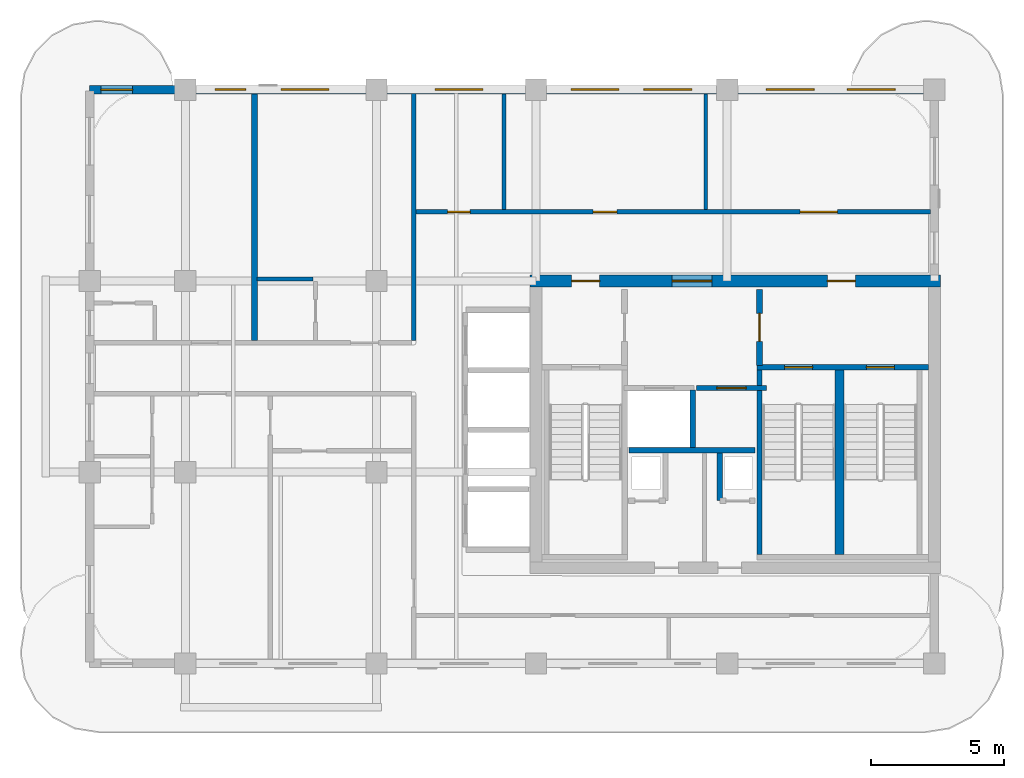
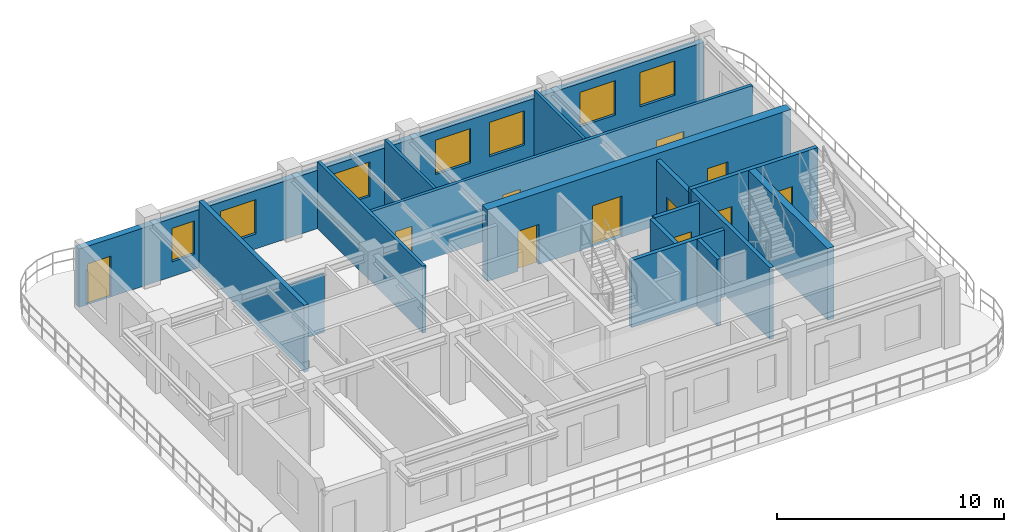
# One storey, part 4 of 7: 16 walls, 11 doors, 7 windows, 18 openings.
"""IFC4 building model written with IfcOpenShell, lengths in metres."""

from ifc_helpers import new_model, si_unit, derived_unit, direction, frame, frame_2d, origin, place, context, subcontext, project, spatial, rectangle, extrude, source, transform, mapped, material, layer, layer_set, type_object, type_shapes, element, fill, save


model = new_model("IFC4")

# Units and contexts
model_context = context("Model", 3, precision=1e-05, world=origin(), true_north=direction((0.0, 1.0)))
body_context = subcontext(model_context, "Body", "Model", "MODEL_VIEW")
ifc_project = project(units=[si_unit("LENGTHUNIT", "METRE"), si_unit("AREAUNIT", "SQUARE_METRE"), si_unit("VOLUMEUNIT", "CUBIC_METRE"), si_unit("PLANEANGLEUNIT", "RADIAN"), si_unit("MASSUNIT", "GRAM", prefix="KILO"), si_unit("THERMODYNAMICTEMPERATUREUNIT", "KELVIN"), si_unit("POWERUNIT", "WATT"), derived_unit("THERMALTRANSMITTANCEUNIT", [(si_unit("POWERUNIT", "WATT"), 1), (si_unit("AREAUNIT", "SQUARE_METRE"), -1), (si_unit("THERMODYNAMICTEMPERATUREUNIT", "KELVIN"), -1)])], contexts=[model_context])

# Site, building, storey
site_placement = place(None, origin())
site = spatial("IfcSite", under=ifc_project, at=site_placement, CompositionType="ELEMENT")
building_placement = place(site_placement, origin())
building = spatial("IfcBuilding", under=site, at=building_placement, Name="Zahravan Archway Hotel and Residences", CompositionType="ELEMENT")
storey_placement = place(building_placement, frame((0.0, 0.0, 255.800048828125)))
storey = spatial("IfcBuildingStorey", under=building, at=storey_placement, Name="L64", CompositionType="ELEMENT", Elevation=255.800048828125)

# Wall, openings, doors
ifc_material_1 = material(Name="Concrete C50/60", Category="concrete")
ifc_layer_1 = layer(ifc_material_1, 0.449951171875, Name="Concrete C50/60", Category="concrete")
ifc_layer_set_1 = layer_set([ifc_layer_1], Name="Concrete C50/60")
wall_type_1 = type_object("IfcWallType", Name="CW-CORE-450", PredefinedType="SHEAR", material=ifc_layer_set_1)
wall_1_placement = place(storey_placement, frame((34.574951171875, 14.39990234375, 0.0), z_axis=(0.0, 0.0, 1.0), x_axis=(1.0, 0.0, 0.0)))
wall_1 = element("IfcWall", 1, at=wall_1_placement, inside=storey, type_object=wall_type_1, Name="L64 Core A Shear N Wall 450 mm", PredefinedType="SHEAR", context=body_context, shape_type="SweptSolid", body=[
    extrude(rectangle(XDim=15.449951171875, YDim=0.449951171875, at=frame_2d((7.72509765625, 0.0))), origin(), (0.0, 0.0, 1.0), 3.849853515625),
])
opening_1_placement = place(wall_1_placement, frame((5.35498046875, 0.0, 0.0)))
opening_1 = element("IfcOpeningElement", 2, at=opening_1_placement, cuts=wall_1, Name="Opening FD-L1", PredefinedType="OPENING", context=body_context, shape_type="SweptSolid", body=[
    extrude(rectangle(XDim=1.5, YDim=2.199951171875, at=frame_2d((0.75, 1.10009765625))), frame((0.0, 0.23486328125, 0.0), z_axis=(0.0, -1.0, 0.0), x_axis=(1.0, 0.0, 0.0)), (0.0, 0.0, 1.0), 0.469970703125),
])
opening_2_placement = place(wall_1_placement, frame((1.570068359375, 0.0, 0.0)))
opening_2 = element("IfcOpeningElement", 3, at=opening_2_placement, cuts=wall_1, Name="Opening FD-L2", PredefinedType="OPENING", context=body_context, shape_type="SweptSolid", body=[
    extrude(rectangle(XDim=1.050048828125, YDim=2.14990234375, at=frame_2d((0.52490234375, 1.074951171875))), frame((0.0, 0.23486328125, 0.0), z_axis=(0.0, -1.0, 0.0), x_axis=(1.0, 0.0, 0.0)), (0.0, 0.0, 1.0), 0.469970703125),
])
opening_3_placement = place(wall_1_placement, frame((11.199951171875, 0.0, 0.0)))
opening_3 = element("IfcOpeningElement", 4, at=opening_3_placement, cuts=wall_1, Name="Opening FD-L2", PredefinedType="OPENING", context=body_context, shape_type="SweptSolid", body=[
    extrude(rectangle(XDim=1.050048828125, YDim=2.14990234375, at=frame_2d((0.52490234375, 1.074951171875))), frame((0.0, 0.23486328125, 0.0), z_axis=(0.0, -1.0, 0.0), x_axis=(1.0, 0.0, 0.0)), (0.0, 0.0, 1.0), 0.469970703125),
])
ifc_material_2 = material(Name="Fire-Rated Painted Steel", Category="steel")
door_type_1 = type_object("IfcDoorType", Name="FD-LOBBY-1100", OperationType="NOTDEFINED", PredefinedType="DOOR", material=ifc_material_2)
shared_shape_1 = source(origin(), body_context, "Body", "SweptSolid", [
    extrude(rectangle(XDim=1.050048828125, YDim=2.14990234375, at=frame_2d((0.52490234375, 1.074951171875))), frame((0.0, 0.02490234375, 0.0), z_axis=(0.0, -1.0, 0.0), x_axis=(1.0, 0.0, 0.0)), (0.0, 0.0, 1.0), 0.050048828125),
])
type_shapes(door_type_1, [shared_shape_1])
door_1_placement = place(opening_2_placement, origin())
door_1 = element("IfcDoor", 5, at=door_1_placement, inside=storey, type_object=door_type_1, Name="L64 Core A West Stair Lobby Door", OperationType="SINGLE_SWING_RIGHT", OverallHeight=2.14990234375, OverallWidth=1.050048828125, PredefinedType="DOOR", context=body_context, shape_type="MappedRepresentation", body=[
    mapped(shared_shape_1, transform((0.0, 0.0, 0.0), scale=1.0)),
])
fill(opening_2, door_1)
door_2_placement = place(opening_3_placement, origin())
door_2 = element("IfcDoor", 6, at=door_2_placement, inside=storey, type_object=door_type_1, Name="L64 Core A East Stair Lobby Door", OperationType="SINGLE_SWING_LEFT", OverallHeight=2.14990234375, OverallWidth=1.050048828125, PredefinedType="DOOR", context=body_context, shape_type="MappedRepresentation", body=[
    mapped(shared_shape_1, transform((0.0, 0.0, 0.0), scale=1.0)),
])
fill(opening_3, door_2)
door_type_2 = type_object("IfcDoorType", Name="FD-LOBBY-1500", OperationType="DOUBLE_DOOR_SINGLE_SWING", PredefinedType="DOOR", material=ifc_material_2)
shared_shape_2 = source(origin(), body_context, "Body", "SweptSolid", [
    extrude(rectangle(XDim=1.5, YDim=2.199951171875, at=frame_2d((0.75, 1.10009765625))), frame((0.0, 0.02490234375, 0.0), z_axis=(0.0, -1.0, 0.0), x_axis=(1.0, 0.0, 0.0)), (0.0, 0.0, 1.0), 0.050048828125),
])
type_shapes(door_type_2, [shared_shape_2])
door_3_placement = place(opening_1_placement, origin())
door_3 = element("IfcDoor", 7, at=door_3_placement, inside=storey, type_object=door_type_2, Name="L64 Core A FSAE Lobby Main Door", OperationType="DOUBLE_DOOR_SINGLE_SWING", OverallHeight=2.199951171875, OverallWidth=1.5, PredefinedType="DOOR", context=body_context, shape_type="MappedRepresentation", body=[
    mapped(shared_shape_2, transform((0.0, 0.0, 0.0), scale=1.0)),
])
fill(opening_1, door_3)

# Wall, openings, door, windows
ifc_material_3 = material(Name="Agra Buff Sandstone & Insulated Backup", Category="masonry")
ifc_layer_2 = layer(ifc_material_3, 0.320068359375, Name="Agra Buff Sandstone & Insulated Backup", Category="masonry")
ifc_layer_set_2 = layer_set([ifc_layer_2], Name="Agra Buff Sandstone & Insulated Backup")
wall_type_2 = type_object("IfcWallType", Name="EW-SAND-320", PredefinedType="SOLIDWALL", material=ifc_layer_set_2)
wall_2_placement = place(storey_placement, frame((18.0, 21.60009765625, 0.0), z_axis=(0.0, 0.0, 1.0), x_axis=(1.0, 0.0, 0.0)))
wall_2 = element("IfcWall", 8, at=wall_2_placement, inside=storey, type_object=wall_type_2, Name="L64 Exterior Sandstone Wall WA-N", PredefinedType="SOLIDWALL", context=body_context, shape_type="SweptSolid", body=[
    extrude(rectangle(XDim=31.800048828125, YDim=0.320068359375, at=frame_2d((15.89990234375, 0.0))), origin(), (0.0, 0.0, 1.0), 3.135009765625),
])
opening_4_placement = place(wall_2_placement, frame((0.419921875, 0.0, 0.0)))
opening_4 = element("IfcOpeningElement", 9, at=opening_4_placement, cuts=wall_2, Name="Opening ED-BL1", PredefinedType="OPENING", context=body_context, shape_type="SweptSolid", body=[
    extrude(rectangle(XDim=1.199951171875, YDim=2.199951171875, at=frame_2d((0.60009765625, 1.10009765625))), frame((0.0, 0.169921875, 0.0), z_axis=(0.0, -1.0, 0.0), x_axis=(1.0, 0.0, 0.0)), (0.0, 0.0, 1.0), 0.340087890625),
])
opening_5_placement = place(wall_2_placement, frame((4.720947265625, 0.0, 0.800048828125)))
opening_5 = element("IfcOpeningElement", 10, at=opening_5_placement, cuts=wall_2, Name="Opening W-05", PredefinedType="OPENING", context=body_context, shape_type="SweptSolid", body=[
    extrude(rectangle(XDim=1.14990234375, YDim=1.800048828125, at=frame_2d((0.574951171875, 0.89990234375))), frame((0.0, 0.169921875, 0.0), z_axis=(0.0, -1.0, 0.0), x_axis=(1.0, 0.0, 0.0)), (0.0, 0.0, 1.0), 0.340087890625),
])
opening_6_placement = place(wall_2_placement, frame((7.2041015625, 0.0, 0.800048828125)))
opening_6 = element("IfcOpeningElement", 11, at=opening_6_placement, cuts=wall_2, Name="Opening W-02", PredefinedType="OPENING", context=body_context, shape_type="SweptSolid", body=[
    extrude(rectangle(XDim=1.800048828125, YDim=1.85009765625, at=frame_2d((0.89990234375, 0.925048828125))), frame((0.0, 0.169921875, 0.0), z_axis=(0.0, -1.0, 0.0), x_axis=(1.0, 0.0, 0.0)), (0.0, 0.0, 1.0), 0.340087890625),
])
opening_7_placement = place(wall_2_placement, frame((13.0009765625, 0.0, 0.800048828125)))
opening_7 = element("IfcOpeningElement", 12, at=opening_7_placement, cuts=wall_2, Name="Opening W-02", PredefinedType="OPENING", context=body_context, shape_type="SweptSolid", body=[
    extrude(rectangle(XDim=1.800048828125, YDim=1.85009765625, at=frame_2d((0.89990234375, 0.925048828125))), frame((0.0, 0.169921875, 0.0), z_axis=(0.0, -1.0, 0.0), x_axis=(1.0, 0.0, 0.0)), (0.0, 0.0, 1.0), 0.340087890625),
])
opening_8_placement = place(wall_2_placement, frame((18.123046875, 0.0, 0.800048828125)))
opening_8 = element("IfcOpeningElement", 13, at=opening_8_placement, cuts=wall_2, Name="Opening W-02", PredefinedType="OPENING", context=body_context, shape_type="SweptSolid", body=[
    extrude(rectangle(XDim=1.800048828125, YDim=1.85009765625, at=frame_2d((0.89990234375, 0.925048828125))), frame((0.0, 0.169921875, 0.0), z_axis=(0.0, -1.0, 0.0), x_axis=(1.0, 0.0, 0.0)), (0.0, 0.0, 1.0), 0.340087890625),
])
opening_9_placement = place(wall_2_placement, frame((20.868896484375, 0.0, 0.800048828125)))
opening_9 = element("IfcOpeningElement", 14, at=opening_9_placement, cuts=wall_2, Name="Opening W-02", PredefinedType="OPENING", context=body_context, shape_type="SweptSolid", body=[
    extrude(rectangle(XDim=1.800048828125, YDim=1.85009765625, at=frame_2d((0.89990234375, 0.925048828125))), frame((0.0, 0.169921875, 0.0), z_axis=(0.0, -1.0, 0.0), x_axis=(1.0, 0.0, 0.0)), (0.0, 0.0, 1.0), 0.340087890625),
])
opening_10_placement = place(wall_2_placement, frame((25.47509765625, 0.0, 0.800048828125)))
opening_10 = element("IfcOpeningElement", 15, at=opening_10_placement, cuts=wall_2, Name="Opening W-02", PredefinedType="OPENING", context=body_context, shape_type="SweptSolid", body=[
    extrude(rectangle(XDim=1.800048828125, YDim=1.85009765625, at=frame_2d((0.89990234375, 0.925048828125))), frame((0.0, 0.169921875, 0.0), z_axis=(0.0, -1.0, 0.0), x_axis=(1.0, 0.0, 0.0)), (0.0, 0.0, 1.0), 0.340087890625),
])
opening_11_placement = place(wall_2_placement, frame((28.52490234375, 0.0, 0.800048828125)))
opening_11 = element("IfcOpeningElement", 16, at=opening_11_placement, cuts=wall_2, Name="Opening W-02", PredefinedType="OPENING", context=body_context, shape_type="SweptSolid", body=[
    extrude(rectangle(XDim=1.800048828125, YDim=1.85009765625, at=frame_2d((0.89990234375, 0.925048828125))), frame((0.0, 0.169921875, 0.0), z_axis=(0.0, -1.0, 0.0), x_axis=(1.0, 0.0, 0.0)), (0.0, 0.0, 1.0), 0.340087890625),
])
ifc_material_4 = material(Name="Bronze-Anodized Glazed Aluminium", Category="aluminium")
door_type_3 = type_object("IfcDoorType", Name="ED-BALC-1200", OperationType="SLIDING_TO_LEFT", PredefinedType="DOOR", material=ifc_material_4)
shared_shape_3 = source(origin(), body_context, "Body", "SweptSolid", [
    extrude(rectangle(XDim=1.199951171875, YDim=2.199951171875, at=frame_2d((0.60009765625, 1.10009765625))), frame((0.0, 0.02490234375, 0.0), z_axis=(0.0, -1.0, 0.0), x_axis=(1.0, 0.0, 0.0)), (0.0, 0.0, 1.0), 0.050048828125),
])
type_shapes(door_type_3, [shared_shape_3])
door_4_placement = place(opening_4_placement, origin())
door_4 = element("IfcDoor", 17, at=door_4_placement, inside=storey, type_object=door_type_3, Name="L64 Outdoor Access Sliding Door (SLB-BAL-L64-WA)", OperationType="SLIDING_TO_LEFT", OverallHeight=2.199951171875, OverallWidth=1.199951171875, PredefinedType="DOOR", context=body_context, shape_type="MappedRepresentation", body=[
    mapped(shared_shape_3, transform((0.0, 0.0, 0.0), scale=1.0)),
])
fill(opening_4, door_4)
ifc_material_5 = material(Name="Bronze-Anodized Thermal-Break Aluminium & Low-E Glass", Category="aluminium")
window_type_1 = type_object("IfcWindowType", Name="WIN-TWR-1800", PartitioningType="DOUBLE_PANEL_VERTICAL", PredefinedType="WINDOW", material=ifc_material_5)
shared_shape_4 = source(origin(), body_context, "Body", "SweptSolid", [
    extrude(rectangle(XDim=1.800048828125, YDim=1.85009765625, at=frame_2d((0.89990234375, 0.925048828125))), frame((0.0, 0.030029296875, 0.0), z_axis=(0.0, -1.0, 0.0), x_axis=(1.0, 0.0, 0.0)), (0.0, 0.0, 1.0), 0.06005859375),
])
type_shapes(window_type_1, [shared_shape_4])
window_1_placement = place(opening_6_placement, origin())
window_1 = element("IfcWindow", 18, at=window_1_placement, inside=storey, type_object=window_type_1, Name="L64 Loggia Window 10", OverallHeight=1.85009765625, OverallWidth=1.800048828125, PartitioningType="DOUBLE_PANEL_VERTICAL", PredefinedType="WINDOW", context=body_context, shape_type="MappedRepresentation", body=[
    mapped(shared_shape_4, transform((0.0, 0.0, 0.0), scale=1.0)),
])
fill(opening_6, window_1)
window_2_placement = place(opening_7_placement, origin())
window_2 = element("IfcWindow", 19, at=window_2_placement, inside=storey, type_object=window_type_1, Name="L64 Loggia Window 11", OverallHeight=1.85009765625, OverallWidth=1.800048828125, PartitioningType="DOUBLE_PANEL_VERTICAL", PredefinedType="WINDOW", context=body_context, shape_type="MappedRepresentation", body=[
    mapped(shared_shape_4, transform((0.0, 0.0, 0.0), scale=1.0)),
])
fill(opening_7, window_2)
window_3_placement = place(opening_8_placement, origin())
window_3 = element("IfcWindow", 20, at=window_3_placement, inside=storey, type_object=window_type_1, Name="L64 Loggia Window 12", OverallHeight=1.85009765625, OverallWidth=1.800048828125, PartitioningType="DOUBLE_PANEL_VERTICAL", PredefinedType="WINDOW", context=body_context, shape_type="MappedRepresentation", body=[
    mapped(shared_shape_4, transform((0.0, 0.0, 0.0), scale=1.0)),
])
fill(opening_8, window_3)
window_4_placement = place(opening_9_placement, origin())
window_4 = element("IfcWindow", 21, at=window_4_placement, inside=storey, type_object=window_type_1, Name="L64 Loggia Window 13", OverallHeight=1.85009765625, OverallWidth=1.800048828125, PartitioningType="DOUBLE_PANEL_VERTICAL", PredefinedType="WINDOW", context=body_context, shape_type="MappedRepresentation", body=[
    mapped(shared_shape_4, transform((0.0, 0.0, 0.0), scale=1.0)),
])
fill(opening_9, window_4)
window_5_placement = place(opening_10_placement, origin())
window_5 = element("IfcWindow", 22, at=window_5_placement, inside=storey, type_object=window_type_1, Name="L64 Loggia Window 14", OverallHeight=1.85009765625, OverallWidth=1.800048828125, PartitioningType="DOUBLE_PANEL_VERTICAL", PredefinedType="WINDOW", context=body_context, shape_type="MappedRepresentation", body=[
    mapped(shared_shape_4, transform((0.0, 0.0, 0.0), scale=1.0)),
])
fill(opening_10, window_5)
window_6_placement = place(opening_11_placement, origin())
window_6 = element("IfcWindow", 23, at=window_6_placement, inside=storey, type_object=window_type_1, Name="L64 Loggia Window 15", OverallHeight=1.85009765625, OverallWidth=1.800048828125, PartitioningType="DOUBLE_PANEL_VERTICAL", PredefinedType="WINDOW", context=body_context, shape_type="MappedRepresentation", body=[
    mapped(shared_shape_4, transform((0.0, 0.0, 0.0), scale=1.0)),
])
fill(opening_11, window_6)
window_type_2 = type_object("IfcWindowType", Name="WIN-TWR-1150", PartitioningType="SINGLE_PANEL", PredefinedType="WINDOW", material=ifc_material_5)
shared_shape_5 = source(origin(), body_context, "Body", "SweptSolid", [
    extrude(rectangle(XDim=1.14990234375, YDim=1.800048828125, at=frame_2d((0.574951171875, 0.89990234375))), frame((0.0, 0.030029296875, 0.0), z_axis=(0.0, -1.0, 0.0), x_axis=(1.0, 0.0, 0.0)), (0.0, 0.0, 1.0), 0.06005859375),
])
type_shapes(window_type_2, [shared_shape_5])
window_7_placement = place(opening_5_placement, origin())
window_7 = element("IfcWindow", 24, at=window_7_placement, inside=storey, type_object=window_type_2, Name="L64 Loggia Window 09", OverallHeight=1.800048828125, OverallWidth=1.14990234375, PartitioningType="SINGLE_PANEL", PredefinedType="WINDOW", context=body_context, shape_type="MappedRepresentation", body=[
    mapped(shared_shape_5, transform((0.0, 0.0, 0.0), scale=1.0)),
])
fill(opening_5, window_7)

# Wall, opening, door
ifc_material_6 = material(Name="Fire-Rated Gypsum & Concrete Block", Category="concrete")
ifc_layer_3 = layer(ifc_material_6, 0.219970703125, Name="Fire-Rated Gypsum & Concrete Block", Category="concrete")
ifc_layer_set_3 = layer_set([ifc_layer_3], Name="Fire-Rated Gypsum & Concrete Block")
wall_type_3 = type_object("IfcWallType", Name="PW-COMP-220", PredefinedType="PARTITIONING", material=ifc_layer_set_3)
wall_3_placement = place(storey_placement, frame((43.219970703125, 11.219970703125, 0.0), z_axis=(0.0, 0.0, 1.0), x_axis=(0.0, 1.0, 0.0)))
wall_3 = element("IfcWall", 25, at=wall_3_placement, inside=storey, type_object=wall_type_3, Name="L64 Partition CA-LOBE", PredefinedType="PARTITIONING", context=body_context, shape_type="SweptSolid", body=[
    extrude(rectangle(XDim=2.860107421875, YDim=0.219970703125, at=frame_2d((1.43017578125, 0.0))), origin(), (0.0, 0.0, 1.0), 3.599853515625),
])
opening_12_placement = place(wall_3_placement, frame((0.905029296875, 0.0, 0.0)))
opening_12 = element("IfcOpeningElement", 26, at=opening_12_placement, cuts=wall_3, Name="Opening FD-L2", PredefinedType="OPENING", context=body_context, shape_type="SweptSolid", body=[
    extrude(rectangle(XDim=1.050048828125, YDim=2.14990234375, at=frame_2d((0.52490234375, 1.074951171875))), frame((0.0, 0.1201171875, 0.0), z_axis=(0.0, -1.0, 0.0), x_axis=(1.0, 0.0, 0.0)), (0.0, 0.0, 1.0), 0.239990234375),
])
door_5_placement = place(opening_12_placement, origin())
door_5 = element("IfcDoor", 27, at=door_5_placement, inside=storey, type_object=door_type_1, Name="L64 Core A East Stair to FSAE Lobby Door", OperationType="SINGLE_SWING_LEFT", OverallHeight=2.14990234375, OverallWidth=1.050048828125, PredefinedType="DOOR", context=body_context, shape_type="MappedRepresentation", body=[
    mapped(shared_shape_1, transform((0.0, 0.0, 0.0), scale=1.0)),
])
fill(opening_12, door_5)

# Walls
wall_4_placement = place(storey_placement, frame((24.199951171875, 12.159912109375, 0.0), z_axis=(0.0, 0.0, 1.0), x_axis=(0.0, 1.0, 0.0)))
element("IfcWall", 28, at=wall_4_placement, inside=storey, type_object=wall_type_3, Name="L64 Partition WAN-SBK1", PredefinedType="PARTITIONING", context=body_context, shape_type="SweptSolid", body=[
    extrude(rectangle(XDim=9.27197265625, YDim=0.219970703125, at=frame_2d((4.635986328125, 0.0))), origin(), (0.0, 0.0, 1.0), 3.599853515625),
])
ifc_layer_4 = layer(ifc_material_6, 0.159912109375, Name="Fire-Rated Gypsum & Concrete Block", Category="concrete")
ifc_layer_set_4 = layer_set([ifc_layer_4], Name="Fire-Rated Gypsum & Concrete Block")
wall_type_4 = type_object("IfcWallType", Name="PW-CORR-160", PredefinedType="PARTITIONING", material=ifc_layer_set_4)
wall_5_placement = place(storey_placement, frame((30.199951171875, 12.159912109375, 0.0), z_axis=(0.0, 0.0, 1.0), x_axis=(0.0, 1.0, 0.0)))
element("IfcWall", 29, at=wall_5_placement, inside=storey, type_object=wall_type_4, Name="L64 Partition WA-FW", PredefinedType="PARTITIONING", context=body_context, shape_type="SweptSolid", body=[
    extrude(rectangle(XDim=9.300048828125, YDim=0.159912109375, at=frame_2d((4.64990234375, 0.0))), origin(), (0.0, 0.0, 1.0), 3.599853515625),
])

# Wall, openings, doors
wall_6_placement = place(storey_placement, frame((30.2900390625, 17.0, 0.0), z_axis=(0.0, 0.0, 1.0), x_axis=(1.0, 0.0, 0.0)))
wall_6 = element("IfcWall", 30, at=wall_6_placement, inside=storey, type_object=wall_type_4, Name="L64 Partition WA-FN", PredefinedType="PARTITIONING", context=body_context, shape_type="SweptSolid", body=[
    extrude(rectangle(XDim=19.369873046875, YDim=0.159912109375, at=frame_2d((9.68505859375, 0.0))), origin(), (0.0, 0.0, 1.0), 3.599853515625),
])
opening_13_placement = place(wall_6_placement, frame((1.18505859375, 0.0, 0.0)))
opening_13 = element("IfcOpeningElement", 31, at=opening_13_placement, cuts=wall_6, Name="Opening D-B1", PredefinedType="OPENING", context=body_context, shape_type="SweptSolid", body=[
    extrude(rectangle(XDim=0.85009765625, YDim=2.10009765625, at=frame_2d((0.425048828125, 1.050048828125))), frame((0.0, 0.08984375, 0.0), z_axis=(0.0, -1.0, 0.0), x_axis=(1.0, 0.0, 0.0)), (0.0, 0.0, 1.0), 0.179931640625),
])
opening_14_placement = place(wall_6_placement, frame((6.659912109375, 0.0, 0.0)))
opening_14 = element("IfcOpeningElement", 32, at=opening_14_placement, cuts=wall_6, Name="Opening D-I2", PredefinedType="OPENING", context=body_context, shape_type="SweptSolid", body=[
    extrude(rectangle(XDim=0.89990234375, YDim=2.14990234375, at=frame_2d((0.449951171875, 1.074951171875))), frame((0.0, 0.08984375, 0.0), z_axis=(0.0, -1.0, 0.0), x_axis=(1.0, 0.0, 0.0)), (0.0, 0.0, 1.0), 0.179931640625),
])
opening_15_placement = place(wall_6_placement, frame((14.4599609375, 0.0, 0.0)))
opening_15 = element("IfcOpeningElement", 33, at=opening_15_placement, cuts=wall_6, Name="Opening D-P1", PredefinedType="OPENING", context=body_context, shape_type="SweptSolid", body=[
    extrude(rectangle(XDim=1.39990234375, YDim=2.35009765625, at=frame_2d((0.699951171875, 1.175048828125))), frame((0.0, 0.08984375, 0.0), z_axis=(0.0, -1.0, 0.0), x_axis=(1.0, 0.0, 0.0)), (0.0, 0.0, 1.0), 0.179931640625),
])
ifc_material_7 = material(Name="Hardwood Veneer Timber", Category="wood")
door_type_4 = type_object("IfcDoorType", Name="ID-BATH-850", OperationType="NOTDEFINED", PredefinedType="DOOR", material=ifc_material_7)
shared_shape_6 = source(origin(), body_context, "Body", "SweptSolid", [
    extrude(rectangle(XDim=0.85009765625, YDim=2.10009765625, at=frame_2d((0.425048828125, 1.050048828125))), frame((0.0, 0.02490234375, 0.0), z_axis=(0.0, -1.0, 0.0), x_axis=(1.0, 0.0, 0.0)), (0.0, 0.0, 1.0), 0.050048828125),
])
type_shapes(door_type_4, [shared_shape_6])
door_6_placement = place(opening_13_placement, origin())
door_6 = element("IfcDoor", 34, at=door_6_placement, inside=storey, type_object=door_type_4, Name="L64 Accessible Floor Restroom Door", OperationType="SINGLE_SWING_LEFT", OverallHeight=2.10009765625, OverallWidth=0.85009765625, PredefinedType="DOOR", context=body_context, shape_type="MappedRepresentation", body=[
    mapped(shared_shape_6, transform((0.0, 0.0, 0.0), scale=1.0)),
])
fill(opening_13, door_6)
door_type_5 = type_object("IfcDoorType", Name="ID-PUBLIC-1400", OperationType="DOUBLE_DOOR_SINGLE_SWING", PredefinedType="DOOR", material=ifc_material_4)
shared_shape_7 = source(origin(), body_context, "Body", "SweptSolid", [
    extrude(rectangle(XDim=1.39990234375, YDim=2.35009765625, at=frame_2d((0.699951171875, 1.175048828125))), frame((0.0, 0.02490234375, 0.0), z_axis=(0.0, -1.0, 0.0), x_axis=(1.0, 0.0, 0.0)), (0.0, 0.0, 1.0), 0.050048828125),
])
type_shapes(door_type_5, [shared_shape_7])
door_7_placement = place(opening_15_placement, origin())
door_7 = element("IfcDoor", 35, at=door_7_placement, inside=storey, type_object=door_type_5, Name="L64 Co-Working Room Door", OperationType="DOUBLE_DOOR_SINGLE_SWING", OverallHeight=2.35009765625, OverallWidth=1.39990234375, PredefinedType="DOOR", context=body_context, shape_type="MappedRepresentation", body=[
    mapped(shared_shape_7, transform((0.0, 0.0, 0.0), scale=1.0)),
])
fill(opening_15, door_7)
door_type_6 = type_object("IfcDoorType", Name="ID-INT-900", OperationType="NOTDEFINED", PredefinedType="DOOR", material=ifc_material_7)
shared_shape_8 = source(origin(), body_context, "Body", "SweptSolid", [
    extrude(rectangle(XDim=0.89990234375, YDim=2.14990234375, at=frame_2d((0.449951171875, 1.074951171875))), frame((0.0, 0.02490234375, 0.0), z_axis=(0.0, -1.0, 0.0), x_axis=(1.0, 0.0, 0.0)), (0.0, 0.0, 1.0), 0.050048828125),
])
type_shapes(door_type_6, [shared_shape_8])
door_8_placement = place(opening_14_placement, origin())
door_8 = element("IfcDoor", 36, at=door_8_placement, inside=storey, type_object=door_type_6, Name="L64 Tea Servery Door", OperationType="SINGLE_SWING_RIGHT", OverallHeight=2.14990234375, OverallWidth=0.89990234375, PredefinedType="DOOR", context=body_context, shape_type="MappedRepresentation", body=[
    mapped(shared_shape_8, transform((0.0, 0.0, 0.0), scale=1.0)),
])
fill(opening_14, door_8)

# Walls
ifc_layer_5 = layer(ifc_material_6, 0.199951171875, Name="Fire-Rated Gypsum & Concrete Block", Category="concrete")
ifc_layer_set_5 = layer_set([ifc_layer_5], Name="Fire-Rated Gypsum & Concrete Block")
wall_type_5 = type_object("IfcWallType", Name="PW-SHAFT-200", PredefinedType="PARTITIONING", material=ifc_layer_set_5)
wall_7_placement = place(storey_placement, frame((38.300048828125, 8.030029296875, 0.0), z_axis=(0.0, 0.0, 1.0), x_axis=(1.0, 0.0, 0.0)))
element("IfcWall", 37, at=wall_7_placement, inside=storey, type_object=wall_type_5, Name="L64 Partition CA-FLS", PredefinedType="PARTITIONING", context=body_context, shape_type="SweptSolid", body=[
    extrude(rectangle(XDim=4.739990234375, YDim=0.199951171875, at=frame_2d((2.3701171875, 0.0))), origin(), (0.0, 0.0, 1.0), 3.599853515625),
])
wall_8_placement = place(storey_placement, frame((40.699951171875, 8.1201171875, 0.0), z_axis=(0.0, 0.0, 1.0), x_axis=(0.0, 1.0, 0.0)))
element("IfcWall", 38, at=wall_8_placement, inside=storey, type_object=wall_type_5, Name="L64 Partition CA-FLM", PredefinedType="PARTITIONING", context=body_context, shape_type="SweptSolid", body=[
    extrude(rectangle(XDim=2.179931640625, YDim=0.199951171875, at=frame_2d((1.08984375, 0.0))), origin(), (0.0, 0.0, 1.0), 3.599853515625),
])
wall_9_placement = place(storey_placement, frame((41.719970703125, 6.1298828125, 0.0), z_axis=(0.0, 0.0, 1.0), x_axis=(0.0, 1.0, 0.0)))
element("IfcWall", 39, at=wall_9_placement, inside=storey, type_object=wall_type_5, Name="L64 Partition CA-MEPW", PredefinedType="PARTITIONING", context=body_context, shape_type="SweptSolid", body=[
    extrude(rectangle(XDim=1.7900390625, YDim=0.199951171875, at=frame_2d((0.89501953125, 0.0))), origin(), (0.0, 0.0, 1.0), 3.599853515625),
])

# Wall, opening, door
wall_10_placement = place(storey_placement, frame((40.840087890625, 10.3701171875, 0.0), z_axis=(0.0, 0.0, 1.0), x_axis=(1.0, 0.0, 0.0)))
wall_10 = element("IfcWall", 40, at=wall_10_placement, inside=storey, type_object=wall_type_5, Name="L64 Lift FL-2 Front Wall", PredefinedType="PARTITIONING", context=body_context, shape_type="SweptSolid", body=[
    extrude(rectangle(XDim=2.639892578125, YDim=0.199951171875, at=frame_2d((1.31982421875, 0.0))), origin(), (0.0, 0.0, 1.0), 3.599853515625),
])
opening_16_placement = place(wall_10_placement, frame((0.77001953125, 0.0, 0.0)))
opening_16 = element("IfcOpeningElement", 41, at=opening_16_placement, cuts=wall_10, Name="Opening LD", PredefinedType="OPENING", context=body_context, shape_type="SweptSolid", body=[
    extrude(rectangle(XDim=1.10009765625, YDim=2.199951171875, at=frame_2d((0.550048828125, 1.10009765625))), frame((0.0, 0.10986328125, 0.0), z_axis=(0.0, -1.0, 0.0), x_axis=(1.0, 0.0, 0.0)), (0.0, 0.0, 1.0), 0.219970703125),
])
ifc_material_8 = material(Name="Brushed Stainless Steel", Category="steel")
door_type_7 = type_object("IfcDoorType", Name="DR-LIFT-LD", OperationType="SLIDING_TO_LEFT", PredefinedType="DOOR", material=ifc_material_8)
shared_shape_9 = source(origin(), body_context, "Body", "SweptSolid", [
    extrude(rectangle(XDim=1.10009765625, YDim=2.199951171875, at=frame_2d((0.550048828125, 1.10009765625))), frame((0.0, 0.02490234375, 0.0), z_axis=(0.0, -1.0, 0.0), x_axis=(1.0, 0.0, 0.0)), (0.0, 0.0, 1.0), 0.050048828125),
])
type_shapes(door_type_7, [shared_shape_9])
door_9_placement = place(opening_16_placement, origin())
door_9 = element("IfcDoor", 42, at=door_9_placement, inside=storey, type_object=door_type_7, Name="L64 Lift FL-2 Sliding Landing Door", OperationType="SLIDING_TO_LEFT", OverallHeight=2.199951171875, OverallWidth=1.10009765625, PredefinedType="DOOR", context=body_context, shape_type="MappedRepresentation", body=[
    mapped(shared_shape_9, transform((0.0, 0.0, 0.0), scale=1.0)),
])
fill(opening_16, door_9)

# Walls
ifc_material_9 = material(Name="Moisture-Resistant Blockwork", Category="masonry")
ifc_layer_6 = layer(ifc_material_9, 0.139892578125, Name="Moisture-Resistant Blockwork", Category="masonry")
ifc_layer_set_6 = layer_set([ifc_layer_6], Name="Moisture-Resistant Blockwork")
wall_type_6 = type_object("IfcWallType", Name="PW-WET-140", PredefinedType="PARTITIONING", material=ifc_layer_set_6)
for number, where, z_axis, x_axis, name in (
    (43, (33.60009765625, 17.090087890625, 0.0), (0.0, 0.0, 1.0), (0.0, 1.0, 0.0), "L64 Partition NE0-1"),
    (44, (41.199951171875, 17.090087890625, 0.0), (0.0, 0.0, 1.0), (0.0, 1.0, 0.0), "L64 Partition NE0-2"),
):
    element("IfcWall", number, at=place(storey_placement, frame(where, z_axis=z_axis, x_axis=x_axis)), inside=storey, type_object=wall_type_6, Name=name, PredefinedType="PARTITIONING", context=body_context, shape_type="SweptSolid", body=[
        extrude(rectangle(XDim=4.341796875, YDim=0.139892578125, at=frame_2d((2.1708984375, 0.0))), origin(), (0.0, 0.0, 1.0), 3.599853515625),
    ])
wall_11_placement = place(storey_placement, frame((24.2900390625, 14.469970703125, 0.0), z_axis=(0.0, 0.0, 1.0), x_axis=(1.0, 0.0, 0.0)))
element("IfcWall", 45, at=wall_11_placement, inside=storey, type_object=wall_type_6, Name="L64 Partition HKB-H88", PredefinedType="PARTITIONING", context=body_context, shape_type="SweptSolid", body=[
    extrude(rectangle(XDim=2.119873046875, YDim=0.139892578125, at=frame_2d((1.06005859375, 0.0))), origin(), (0.0, 0.0, 1.0), 3.135009765625),
])
ifc_layer_7 = layer(ifc_material_1, 0.199951171875, Name="Concrete C50/60", Category="concrete")
ifc_layer_set_7 = layer_set([ifc_layer_7], Name="Concrete C50/60")
wall_type_7 = type_object("IfcWallType", Name="SW-STAIR-200", PredefinedType="SHEAR", material=ifc_layer_set_7)
wall_12_placement = place(storey_placement, frame((43.219970703125, 4.10009765625, 0.0), z_axis=(0.0, 0.0, 1.0), x_axis=(0.0, 1.0, 0.0)))
element("IfcWall", 46, at=wall_12_placement, inside=storey, type_object=wall_type_7, Name="L64 Stairwell RC Wall CA-SA2W", PredefinedType="SHEAR", context=body_context, shape_type="SweptSolid", body=[
    extrude(rectangle(XDim=6.949951171875, YDim=0.199951171875, at=frame_2d((3.47509765625, 0.0))), origin(), (0.0, 0.0, 1.0), 3.849853515625),
])

# Wall, openings, doors
wall_13_placement = place(storey_placement, frame((43.1201171875, 11.14990234375, 0.0), z_axis=(0.0, 0.0, 1.0), x_axis=(1.0, 0.0, 0.0)))
wall_13 = element("IfcWall", 47, at=wall_13_placement, inside=storey, type_object=wall_type_7, Name="L64 Stairwell RC Wall CA-SA23N", PredefinedType="SHEAR", context=body_context, shape_type="SweptSolid", body=[
    extrude(rectangle(XDim=6.454833984375, YDim=0.199951171875, at=frame_2d((3.2275390625, 0.0))), origin(), (0.0, 0.0, 1.0), 3.849853515625),
])
opening_17_placement = place(wall_13_placement, frame((1.044921875, 0.0, 0.0)))
opening_17 = element("IfcOpeningElement", 48, at=opening_17_placement, cuts=wall_13, Name="Opening FD-S1", PredefinedType="OPENING", context=body_context, shape_type="SweptSolid", body=[
    extrude(rectangle(XDim=1.050048828125, YDim=2.199951171875, at=frame_2d((0.52490234375, 1.10009765625))), frame((0.0, 0.10986328125, 0.0), z_axis=(0.0, -1.0, 0.0), x_axis=(1.0, 0.0, 0.0)), (0.0, 0.0, 1.0), 0.219970703125),
])
opening_18_placement = place(wall_13_placement, frame((4.125, 0.0, 0.0)))
opening_18 = element("IfcOpeningElement", 49, at=opening_18_placement, cuts=wall_13, Name="Opening FD-S1", PredefinedType="OPENING", context=body_context, shape_type="SweptSolid", body=[
    extrude(rectangle(XDim=1.050048828125, YDim=2.199951171875, at=frame_2d((0.52490234375, 1.10009765625))), frame((0.0, 0.10986328125, 0.0), z_axis=(0.0, -1.0, 0.0), x_axis=(1.0, 0.0, 0.0)), (0.0, 0.0, 1.0), 0.219970703125),
])
door_type_8 = type_object("IfcDoorType", Name="FD-STAIR-1100", OperationType="NOTDEFINED", PredefinedType="DOOR", material=ifc_material_2)
shared_shape_10 = source(origin(), body_context, "Body", "SweptSolid", [
    extrude(rectangle(XDim=1.050048828125, YDim=2.199951171875, at=frame_2d((0.52490234375, 1.10009765625))), frame((0.0, 0.02490234375, 0.0), z_axis=(0.0, -1.0, 0.0), x_axis=(1.0, 0.0, 0.0)), (0.0, 0.0, 1.0), 0.050048828125),
])
type_shapes(door_type_8, [shared_shape_10])
door_10_placement = place(opening_17_placement, origin())
door_10 = element("IfcDoor", 50, at=door_10_placement, inside=storey, type_object=door_type_8, Name="L64 Stair ST-A2 Door", OperationType="SINGLE_SWING_RIGHT", OverallHeight=2.199951171875, OverallWidth=1.050048828125, PredefinedType="DOOR", context=body_context, shape_type="MappedRepresentation", body=[
    mapped(shared_shape_10, transform((0.0, 0.0, 0.0), scale=1.0)),
])
fill(opening_17, door_10)
door_11_placement = place(opening_18_placement, origin())
door_11 = element("IfcDoor", 51, at=door_11_placement, inside=storey, type_object=door_type_8, Name="L64 Stair ST-A3 Door", OperationType="SINGLE_SWING_LEFT", OverallHeight=2.199951171875, OverallWidth=1.050048828125, PredefinedType="DOOR", context=body_context, shape_type="MappedRepresentation", body=[
    mapped(shared_shape_10, transform((0.0, 0.0, 0.0), scale=1.0)),
])
fill(opening_18, door_11)

# Wall
ifc_layer_8 = layer(ifc_material_1, 0.340087890625, Name="Concrete C50/60", Category="concrete")
ifc_layer_set_8 = layer_set([ifc_layer_8], Name="Concrete C50/60")
wall_type_8 = type_object("IfcWallType", Name="SW-STAIR-340", PredefinedType="SHEAR", material=ifc_layer_set_8)
wall_14_placement = place(storey_placement, frame((46.22998046875, 4.10009765625, 0.0), z_axis=(0.0, 0.0, 1.0), x_axis=(0.0, 1.0, 0.0)))
element("IfcWall", 52, at=wall_14_placement, inside=storey, type_object=wall_type_8, Name="L64 Stairwell RC Wall CA-SA23M", PredefinedType="SHEAR", context=body_context, shape_type="SweptSolid", body=[
    extrude(rectangle(XDim=6.949951171875, YDim=0.340087890625, at=frame_2d((3.47509765625, 0.0))), origin(), (0.0, 0.0, 1.0), 3.849853515625),
])

save(model, "model.ifc")
